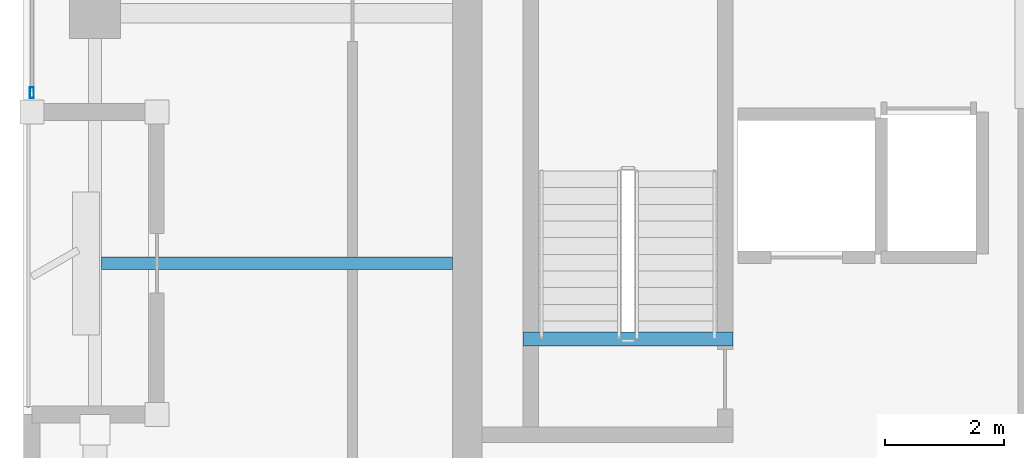
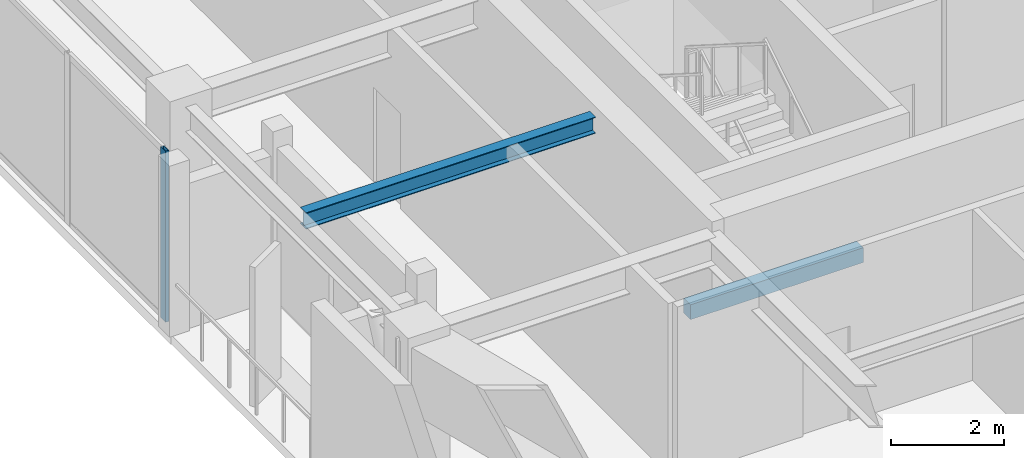
# One storey, part 2 of 15: 2 beams, 1 member, 1 element without a shape of its own.
"""IFC4 building model written with IfcOpenShell, lengths in metres."""

from ifc_helpers import new_model, si_unit, direction, frame, origin, origin_2d, place, context, subcontext, project, spatial, rectangle, hollow_rectangle, i_section, extrude, material, layer, layer_set, material_profile, profile_set, type_object, element, aggregate, save


model = new_model("IFC4")

# Units and contexts
model_context = context("Model", 3, precision=1e-05, world=origin(), true_north=direction((0.0, 1.0)))
body_context = subcontext(model_context, "Body", "Model", "MODEL_VIEW")
ifc_project = project(units=[si_unit("LENGTHUNIT", "METRE"), si_unit("AREAUNIT", "SQUARE_METRE"), si_unit("VOLUMEUNIT", "CUBIC_METRE"), si_unit("PLANEANGLEUNIT", "RADIAN"), si_unit("MASSUNIT", "GRAM", prefix="KILO")], contexts=[model_context])

# Site, building, storey
site_placement = place(None, origin())
site = spatial("IfcSite", under=ifc_project, at=site_placement, CompositionType="ELEMENT")
building_placement = place(site_placement, origin())
building = spatial("IfcBuilding", under=site, at=building_placement, Name="Kiyonajd Concourse Tower", CompositionType="ELEMENT")
storey_placement = place(building_placement, frame((0.0, 0.0, 318.0)))
storey = spatial("IfcBuildingStorey", under=building, at=storey_placement, Name="L80", CompositionType="ELEMENT", Elevation=318.0)

# Beams
ifc_material_1 = material(Name="Steel ASTM A992 Grade 50", Category="steel")
ifc_material_profile_1 = material_profile(ifc_material_1, i_section(OverallWidth=0.205078125, OverallDepth=0.35400390625, WebThickness=0.009521484375, FlangeThickness=0.016845703125, at=origin_2d()), Name="W360X79")
ifc_profile_set_1 = profile_set([ifc_material_profile_1], Name="Steel ASTM A992 Grade 50")
beam_type_1 = type_object("IfcBeamType", Name="BM-JST-360", PredefinedType="JOIST", material=ifc_profile_set_1)
beam_1_placement = place(storey_placement, frame((26.505615234375, 31.800048828125, 3.5029296875), z_axis=(1.0, 0.0, 0.0), x_axis=(0.0, 1.0, 0.0)))
element("IfcBeam", 1, at=beam_1_placement, inside=storey, type_object=beam_type_1, Name="L80 West Secondary Floor Joist", PredefinedType="JOIST", context=body_context, shape_type="SweptSolid", body=[
    extrude(i_section(OverallWidth=0.205078125, OverallDepth=0.35400390625, WebThickness=0.009521484375, FlangeThickness=0.016845703125, at=origin_2d()), origin(), (0.0, 0.0, 1.0), 5.894287109375),
])
ifc_material_2 = material(Name="Concrete C50/60", Category="concrete")
ifc_material_profile_2 = material_profile(ifc_material_2, rectangle(XDim=0.239990234375, YDim=0.320068359375, at=origin_2d()), Name="RCBM-240x320")
ifc_profile_set_2 = profile_set([ifc_material_profile_2], Name="Concrete C50/60")
beam_type_2 = type_object("IfcBeamType", Name="BM-LNT-250", PredefinedType="LINTEL", material=ifc_profile_set_2)
beam_2_placement = place(storey_placement, frame((33.590087890625, 30.530029296875, -0.159912109375), z_axis=(1.0, 0.0, 0.0), x_axis=(0.0, 1.0, 0.0)))
element("IfcBeam", 2, at=beam_2_placement, inside=storey, type_object=beam_type_2, Name="L80 Stair ST1 Threshold Support Beam", PredefinedType="LINTEL", context=body_context, shape_type="SweptSolid", body=[
    extrude(rectangle(XDim=0.239990234375, YDim=0.320068359375, at=origin_2d()), origin(), (0.0, 0.0, 1.0), 3.52001953125),
])

# Curtain wall, member
ifc_material_3 = material(Name="Thermally Broken Anodised Aluminium", Category="aluminium")
ifc_layer = layer(ifc_material_3, 0.179931640625)
ifc_layer_set = layer_set([ifc_layer], Name="Thermally Broken Anodised Aluminium")
curtain_wall_type = type_object("IfcCurtainWallType", Name="CW-SYS-04", PredefinedType="NOTDEFINED", material=ifc_layer_set)
curtain_wall_placement = place(storey_placement, origin())
curtain_wall = element("IfcCurtainWall", 3, at=curtain_wall_placement, inside=storey, type_object=curtain_wall_type, Name="L80 Unitised Curtain Wall CW4", PredefinedType="NOTDEFINED")
ifc_material_profile_3 = material_profile(ifc_material_3, hollow_rectangle(XDim=0.06494140625, YDim=0.179931640625, WallThickness=0.00390625, at=origin_2d()), Name="MULL-65x180")
ifc_profile_set_3 = profile_set([ifc_material_profile_3], Name="Thermally Broken Anodised Aluminium")
member_type = type_object("IfcMemberType", Name="MB-CW-MULL1", PredefinedType="MULLION", material=ifc_profile_set_3)
member_placement = place(storey_placement, frame((25.340087890625, 34.66259765625, 0.0), z_axis=(0.0, 0.0, 1.0), x_axis=(-1.0, 0.0, 0.0)))
member = element("IfcMember", 4, at=member_placement, type_object=member_type, Name="CW4 mullion 1", PredefinedType="MULLION", context=body_context, shape_type="SweptSolid", body=[
    extrude(hollow_rectangle(XDim=0.06494140625, YDim=0.179931640625, WallThickness=0.00390625, at=origin_2d()), origin(), (0.0, 0.0, 1.0), 3.679931640625),
])
aggregate(curtain_wall, [member])

save(model, "model.ifc")
